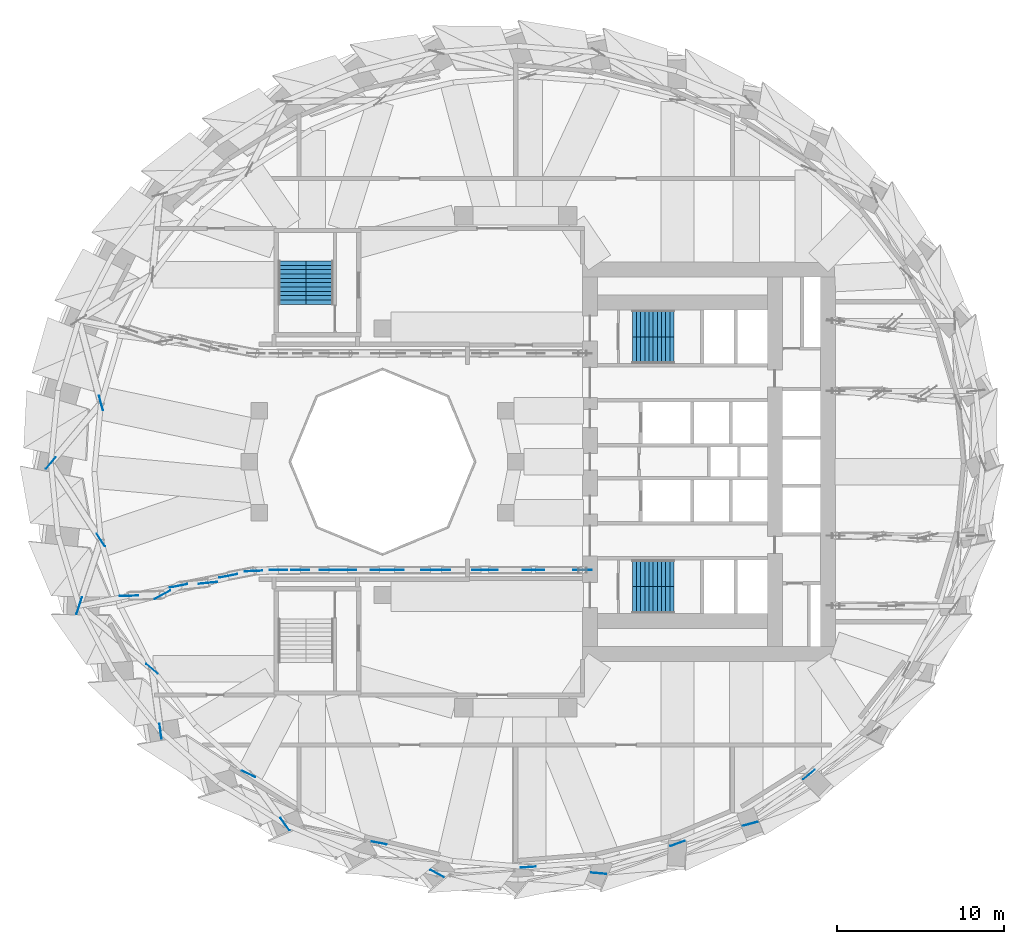
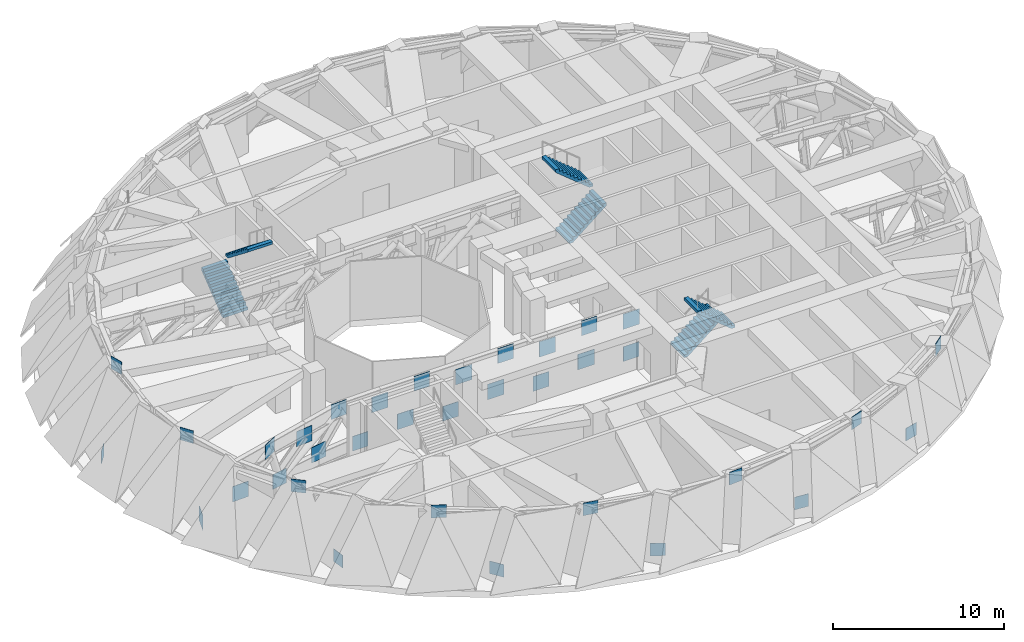
# One storey, part 10 of 15: 35 discrete accessories, 6 stair flights, 3 elements without a shape of their own.
"""IFC4 building model written with IfcOpenShell, lengths in metres."""

from ifc_helpers import new_model, si_unit, direction, frame, origin, origin_2d, place, context, subcontext, project, spatial, polyline, rectangle, outline, extrude, material, type_object, element, aggregate, save


model = new_model("IFC4")

# Units and contexts
model_context = context("Model", 3, precision=1e-05, world=origin(), true_north=direction((0.0, 1.0)))
body_context = subcontext(model_context, "Body", "Model", "MODEL_VIEW")
ifc_project = project(units=[si_unit("LENGTHUNIT", "METRE"), si_unit("AREAUNIT", "SQUARE_METRE"), si_unit("VOLUMEUNIT", "CUBIC_METRE"), si_unit("PLANEANGLEUNIT", "RADIAN"), si_unit("MASSUNIT", "GRAM", prefix="KILO")], contexts=[model_context])

# Site, building, storey
site_placement = place(None, origin())
site = spatial("IfcSite", under=ifc_project, at=site_placement, CompositionType="ELEMENT")
building_placement = place(site_placement, origin())
building = spatial("IfcBuilding", under=site, at=building_placement, Name="Taillehof Tower", CompositionType="ELEMENT")
storey_placement = place(building_placement, frame((0.0, 0.0, 84.39990234375)))
storey = spatial("IfcBuildingStorey", under=building, at=storey_placement, Name="L23", CompositionType="ELEMENT", Elevation=84.39990234375)

# Stair, stair flights
ifc_material_1 = material(Name="Concrete C40/50", Category="concrete")
stair_type = type_object("IfcStairType", Name="Exit stair half-turn", PredefinedType="HALF_TURN_STAIR", material=ifc_material_1)
stair_1_placement = place(storey_placement, origin())
stair_1 = element("IfcStair", 1, at=stair_1_placement, inside=storey, type_object=stair_type, Name="Exit stair S1", PredefinedType="HALF_TURN_STAIR")
ifc_material_2 = material(Name="Concrete C40/50", Category="concrete")
stair_flight_type_1 = type_object("IfcStairFlightType", Name="Stair flight 1600 riser 204.5 going 250", PredefinedType="STRAIGHT", material=ifc_material_2)
stair_flight_1_placement = place(storey_placement, frame((7.0, 6.699951171875, 0.0), z_axis=(0.0, 0.0, 1.0), x_axis=(1.0, 0.0, 0.0)))
stair_flight_1 = element("IfcStairFlight", 2, at=stair_flight_1_placement, type_object=stair_flight_type_1, Name="S1 flight 1", NumberOfRisers=11, NumberOfTreads=10, PredefinedType="STRAIGHT", RiserHeight=0.204545455, TreadLength=0.25, context=body_context, shape_type="SweptSolid", body=[
    extrude(outline(polyline([(0.0, 0.0), (0.0, 0.006103515625), (0.0, 0.011962890625), (0.0, 0.01806640625), (0.0, 0.024169921875), (0.0, 0.030029296875), (0.0, 0.0361328125), (0.0, 0.0419921875), (0.0, 0.048095703125), (0.0, 0.05419921875), (0.0, 0.06005859375), (0.0, 0.066162109375), (0.0, 0.072265625), (0.0, 0.078125), (0.0, 0.084228515625), (0.0, 0.09033203125), (0.0, 0.09619140625), (0.0, 0.102294921875), (0.0, 0.1083984375), (0.0, 0.1142578125), (0.0, 0.120361328125), (0.0, 0.126220703125), (0.0, 0.13232421875), (0.0, 0.138427734375), (0.0, 0.144287109375), (0.0, 0.150390625), (0.0, 0.156494140625), (0.0, 0.162353515625), (0.0, 0.16845703125), (0.0, 0.174560546875), (0.0, 0.180419921875), (0.0, 0.1865234375), (0.0, 0.192626953125), (0.0, 0.198486328125), (0.0, 0.20458984375), (0.25, 0.20458984375), (0.25, 0.4091796875), (0.5, 0.4091796875), (0.5, 0.613525390625), (0.75, 0.613525390625), (0.75, 0.818115234375), (1.0, 0.818115234375), (1.0, 1.022705078125), (1.25, 1.022705078125), (1.25, 1.227294921875), (1.5, 1.227294921875), (1.5, 1.431884765625), (1.75, 1.431884765625), (1.75, 1.636474609375), (2.0, 1.636474609375), (2.0, 1.8408203125), (2.25, 1.8408203125), (2.25, 2.04541015625), (2.5, 2.04541015625), (2.5, 2.039794921875), (2.5, 2.0341796875), (2.5, 2.0283203125), (2.5, 2.022705078125), (2.5, 2.01708984375), (2.5, 2.01123046875), (2.5, 2.005615234375), (2.5, 2.0), (2.5, 1.994140625), (2.5, 1.988525390625), (2.5, 1.98291015625), (2.5, 1.97705078125), (2.5, 1.971435546875), (2.5, 1.9658203125), (2.5, 1.9599609375), (2.5, 1.954345703125), (2.5, 1.94873046875), (2.5, 1.94287109375), (2.5, 1.937255859375), (2.5, 1.931640625), (2.5, 1.92578125), (2.5, 1.920166015625), (2.5, 1.91455078125), (2.5, 1.90869140625), (2.5, 1.903076171875), (2.5, 1.8974609375), (2.5, 1.8916015625), (2.5, 1.885986328125), (2.5, 1.88037109375), (2.5, 1.87451171875), (2.5, 1.868896484375), (2.5, 1.86328125), (2.5, 1.857421875), (2.5, 1.851806640625), (0.23681640625, 0.0), (0.0, 0.0)])), frame((0.0, 0.800048828125, 0.0), z_axis=(0.0, -1.0, 0.0), x_axis=(1.0, 0.0, 0.0)), (0.0, 0.0, 1.0), 1.6),
])
stair_flight_2_placement = place(storey_placement, frame((9.5, 8.300048828125, 2.25), z_axis=(0.0, 0.0, 1.0), x_axis=(-1.0, 0.0, 0.0)))
stair_flight_2 = element("IfcStairFlight", 3, at=stair_flight_2_placement, type_object=stair_flight_type_1, Name="S1 flight 2", NumberOfRisers=11, NumberOfTreads=10, PredefinedType="STRAIGHT", RiserHeight=0.204545455, TreadLength=0.25, context=body_context, shape_type="SweptSolid", body=[
    extrude(outline(polyline([(0.0, 0.0), (0.0, 0.006103515625), (0.0, 0.011962890625), (0.0, 0.01806640625), (0.0, 0.024169921875), (0.0, 0.030029296875), (0.0, 0.0361328125), (0.0, 0.0419921875), (0.0, 0.048095703125), (0.0, 0.05419921875), (0.0, 0.06005859375), (0.0, 0.066162109375), (0.0, 0.072265625), (0.0, 0.078125), (0.0, 0.084228515625), (0.0, 0.09033203125), (0.0, 0.09619140625), (0.0, 0.102294921875), (0.0, 0.1083984375), (0.0, 0.1142578125), (0.0, 0.120361328125), (0.0, 0.126220703125), (0.0, 0.13232421875), (0.0, 0.138427734375), (0.0, 0.144287109375), (0.0, 0.150390625), (0.0, 0.156494140625), (0.0, 0.162353515625), (0.0, 0.16845703125), (0.0, 0.174560546875), (0.0, 0.180419921875), (0.0, 0.1865234375), (0.0, 0.192626953125), (0.0, 0.198486328125), (0.0, 0.20458984375), (0.25, 0.20458984375), (0.25, 0.4091796875), (0.5, 0.4091796875), (0.5, 0.613525390625), (0.75, 0.613525390625), (0.75, 0.818115234375), (1.0, 0.818115234375), (1.0, 1.022705078125), (1.25, 1.022705078125), (1.25, 1.227294921875), (1.5, 1.227294921875), (1.5, 1.431884765625), (1.75, 1.431884765625), (1.75, 1.636474609375), (2.0, 1.636474609375), (2.0, 1.8408203125), (2.25, 1.8408203125), (2.25, 2.04541015625), (2.5, 2.04541015625), (2.5, 2.039794921875), (2.5, 2.0341796875), (2.5, 2.0283203125), (2.5, 2.022705078125), (2.5, 2.01708984375), (2.5, 2.01123046875), (2.5, 2.005615234375), (2.5, 2.0), (2.5, 1.994140625), (2.5, 1.988525390625), (2.5, 1.98291015625), (2.5, 1.97705078125), (2.5, 1.971435546875), (2.5, 1.9658203125), (2.5, 1.9599609375), (2.5, 1.954345703125), (2.5, 1.94873046875), (2.5, 1.94287109375), (2.5, 1.937255859375), (2.5, 1.931640625), (2.5, 1.92578125), (2.5, 1.920166015625), (2.5, 1.91455078125), (2.5, 1.90869140625), (2.5, 1.903076171875), (2.5, 1.8974609375), (2.5, 1.8916015625), (2.5, 1.885986328125), (2.5, 1.88037109375), (2.5, 1.87451171875), (2.5, 1.868896484375), (2.5, 1.86328125), (2.5, 1.857421875), (2.5, 1.851806640625), (0.23681640625, 0.0), (0.0, 0.0)])), frame((0.0, 0.800048828125, 0.0), z_axis=(0.0, -1.0, 0.0), x_axis=(1.0, 0.0, 0.0)), (0.0, 0.0, 1.0), 1.6),
])
aggregate(stair_1, [stair_flight_1, stair_flight_2])

stair_2_placement = place(storey_placement, origin())
stair_2 = element("IfcStair", 4, at=stair_2_placement, inside=storey, type_object=stair_type, Name="Exit stair S2", PredefinedType="HALF_TURN_STAIR")
stair_flight_3_placement = place(storey_placement, frame((7.0, -6.699951171875, 0.0), z_axis=(0.0, 0.0, 1.0), x_axis=(1.0, 0.0, 0.0)))
stair_flight_3 = element("IfcStairFlight", 5, at=stair_flight_3_placement, type_object=stair_flight_type_1, Name="S2 flight 1", NumberOfRisers=11, NumberOfTreads=10, PredefinedType="STRAIGHT", RiserHeight=0.204545455, TreadLength=0.25, context=body_context, shape_type="SweptSolid", body=[
    extrude(outline(polyline([(0.0, 0.0), (0.0, 0.006103515625), (0.0, 0.011962890625), (0.0, 0.01806640625), (0.0, 0.024169921875), (0.0, 0.030029296875), (0.0, 0.0361328125), (0.0, 0.0419921875), (0.0, 0.048095703125), (0.0, 0.05419921875), (0.0, 0.06005859375), (0.0, 0.066162109375), (0.0, 0.072265625), (0.0, 0.078125), (0.0, 0.084228515625), (0.0, 0.09033203125), (0.0, 0.09619140625), (0.0, 0.102294921875), (0.0, 0.1083984375), (0.0, 0.1142578125), (0.0, 0.120361328125), (0.0, 0.126220703125), (0.0, 0.13232421875), (0.0, 0.138427734375), (0.0, 0.144287109375), (0.0, 0.150390625), (0.0, 0.156494140625), (0.0, 0.162353515625), (0.0, 0.16845703125), (0.0, 0.174560546875), (0.0, 0.180419921875), (0.0, 0.1865234375), (0.0, 0.192626953125), (0.0, 0.198486328125), (0.0, 0.20458984375), (0.25, 0.20458984375), (0.25, 0.4091796875), (0.5, 0.4091796875), (0.5, 0.613525390625), (0.75, 0.613525390625), (0.75, 0.818115234375), (1.0, 0.818115234375), (1.0, 1.022705078125), (1.25, 1.022705078125), (1.25, 1.227294921875), (1.5, 1.227294921875), (1.5, 1.431884765625), (1.75, 1.431884765625), (1.75, 1.636474609375), (2.0, 1.636474609375), (2.0, 1.8408203125), (2.25, 1.8408203125), (2.25, 2.04541015625), (2.5, 2.04541015625), (2.5, 2.039794921875), (2.5, 2.0341796875), (2.5, 2.0283203125), (2.5, 2.022705078125), (2.5, 2.01708984375), (2.5, 2.01123046875), (2.5, 2.005615234375), (2.5, 2.0), (2.5, 1.994140625), (2.5, 1.988525390625), (2.5, 1.98291015625), (2.5, 1.97705078125), (2.5, 1.971435546875), (2.5, 1.9658203125), (2.5, 1.9599609375), (2.5, 1.954345703125), (2.5, 1.94873046875), (2.5, 1.94287109375), (2.5, 1.937255859375), (2.5, 1.931640625), (2.5, 1.92578125), (2.5, 1.920166015625), (2.5, 1.91455078125), (2.5, 1.90869140625), (2.5, 1.903076171875), (2.5, 1.8974609375), (2.5, 1.8916015625), (2.5, 1.885986328125), (2.5, 1.88037109375), (2.5, 1.87451171875), (2.5, 1.868896484375), (2.5, 1.86328125), (2.5, 1.857421875), (2.5, 1.851806640625), (0.23681640625, 0.0), (0.0, 0.0)])), frame((0.0, 0.800048828125, 0.0), z_axis=(0.0, -1.0, 0.0), x_axis=(1.0, 0.0, 0.0)), (0.0, 0.0, 1.0), 1.6),
])
stair_flight_4_placement = place(storey_placement, frame((9.5, -8.300048828125, 2.25), z_axis=(0.0, 0.0, 1.0), x_axis=(-1.0, 0.0, 0.0)))
stair_flight_4 = element("IfcStairFlight", 6, at=stair_flight_4_placement, type_object=stair_flight_type_1, Name="S2 flight 2", NumberOfRisers=11, NumberOfTreads=10, PredefinedType="STRAIGHT", RiserHeight=0.204545455, TreadLength=0.25, context=body_context, shape_type="SweptSolid", body=[
    extrude(outline(polyline([(0.0, 0.0), (0.0, 0.006103515625), (0.0, 0.011962890625), (0.0, 0.01806640625), (0.0, 0.024169921875), (0.0, 0.030029296875), (0.0, 0.0361328125), (0.0, 0.0419921875), (0.0, 0.048095703125), (0.0, 0.05419921875), (0.0, 0.06005859375), (0.0, 0.066162109375), (0.0, 0.072265625), (0.0, 0.078125), (0.0, 0.084228515625), (0.0, 0.09033203125), (0.0, 0.09619140625), (0.0, 0.102294921875), (0.0, 0.1083984375), (0.0, 0.1142578125), (0.0, 0.120361328125), (0.0, 0.126220703125), (0.0, 0.13232421875), (0.0, 0.138427734375), (0.0, 0.144287109375), (0.0, 0.150390625), (0.0, 0.156494140625), (0.0, 0.162353515625), (0.0, 0.16845703125), (0.0, 0.174560546875), (0.0, 0.180419921875), (0.0, 0.1865234375), (0.0, 0.192626953125), (0.0, 0.198486328125), (0.0, 0.20458984375), (0.25, 0.20458984375), (0.25, 0.4091796875), (0.5, 0.4091796875), (0.5, 0.613525390625), (0.75, 0.613525390625), (0.75, 0.818115234375), (1.0, 0.818115234375), (1.0, 1.022705078125), (1.25, 1.022705078125), (1.25, 1.227294921875), (1.5, 1.227294921875), (1.5, 1.431884765625), (1.75, 1.431884765625), (1.75, 1.636474609375), (2.0, 1.636474609375), (2.0, 1.8408203125), (2.25, 1.8408203125), (2.25, 2.04541015625), (2.5, 2.04541015625), (2.5, 2.039794921875), (2.5, 2.0341796875), (2.5, 2.0283203125), (2.5, 2.022705078125), (2.5, 2.01708984375), (2.5, 2.01123046875), (2.5, 2.005615234375), (2.5, 2.0), (2.5, 1.994140625), (2.5, 1.988525390625), (2.5, 1.98291015625), (2.5, 1.97705078125), (2.5, 1.971435546875), (2.5, 1.9658203125), (2.5, 1.9599609375), (2.5, 1.954345703125), (2.5, 1.94873046875), (2.5, 1.94287109375), (2.5, 1.937255859375), (2.5, 1.931640625), (2.5, 1.92578125), (2.5, 1.920166015625), (2.5, 1.91455078125), (2.5, 1.90869140625), (2.5, 1.903076171875), (2.5, 1.8974609375), (2.5, 1.8916015625), (2.5, 1.885986328125), (2.5, 1.88037109375), (2.5, 1.87451171875), (2.5, 1.868896484375), (2.5, 1.86328125), (2.5, 1.857421875), (2.5, 1.851806640625), (0.23681640625, 0.0), (0.0, 0.0)])), frame((0.0, 0.800048828125, 0.0), z_axis=(0.0, -1.0, 0.0), x_axis=(1.0, 0.0, 0.0)), (0.0, 0.0, 1.0), 1.6),
])
aggregate(stair_2, [stair_flight_3, stair_flight_4])

stair_3_placement = place(storey_placement, origin())
stair_3 = element("IfcStair", 7, at=stair_3_placement, inside=storey, type_object=stair_type, Name="Exit stair S3", PredefinedType="HALF_TURN_STAIR")
ifc_material_3 = material(Name="Concrete C40/50", Category="concrete")
stair_flight_type_2 = type_object("IfcStairFlightType", Name="Stair flight 1650 riser 204.5 going 260", PredefinedType="STRAIGHT", material=ifc_material_3)
stair_flight_5_placement = place(storey_placement, frame((-13.425048828125, 9.449951171875, 0.0), z_axis=(0.0, 0.0, 1.0), x_axis=(0.0, 1.0, 0.0)))
stair_flight_5 = element("IfcStairFlight", 8, at=stair_flight_5_placement, type_object=stair_flight_type_2, Name="S3 flight 1", NumberOfRisers=11, NumberOfTreads=10, PredefinedType="STRAIGHT", RiserHeight=0.204545455, TreadLength=0.26, context=body_context, shape_type="SweptSolid", body=[
    extrude(outline(polyline([(0.0, 0.0), (0.0, 0.006103515625), (0.0, 0.011962890625), (0.0, 0.01806640625), (0.0, 0.024169921875), (0.0, 0.030029296875), (0.0, 0.0361328125), (0.0, 0.0419921875), (0.0, 0.048095703125), (0.0, 0.05419921875), (0.0, 0.06005859375), (0.0, 0.066162109375), (0.0, 0.072265625), (0.0, 0.078125), (0.0, 0.084228515625), (0.0, 0.09033203125), (0.0, 0.09619140625), (0.0, 0.102294921875), (0.0, 0.1083984375), (0.0, 0.1142578125), (0.0, 0.120361328125), (0.0, 0.126220703125), (0.0, 0.13232421875), (0.0, 0.138427734375), (0.0, 0.144287109375), (0.0, 0.150390625), (0.0, 0.156494140625), (0.0, 0.162353515625), (0.0, 0.16845703125), (0.0, 0.174560546875), (0.0, 0.180419921875), (0.0, 0.1865234375), (0.0, 0.192626953125), (0.0, 0.198486328125), (0.0, 0.20458984375), (0.260009765625, 0.20458984375), (0.260009765625, 0.4091796875), (0.52001953125, 0.4091796875), (0.52001953125, 0.613525390625), (0.780029296875, 0.613525390625), (0.780029296875, 0.818115234375), (1.0400390625, 0.818115234375), (1.0400390625, 1.022705078125), (1.300048828125, 1.022705078125), (1.300048828125, 1.227294921875), (1.56005859375, 1.227294921875), (1.56005859375, 1.431884765625), (1.820068359375, 1.431884765625), (1.820068359375, 1.636474609375), (2.080078125, 1.636474609375), (2.080078125, 1.8408203125), (2.340087890625, 1.8408203125), (2.340087890625, 2.04541015625), (2.60009765625, 2.04541015625), (2.60009765625, 2.039794921875), (2.60009765625, 2.0341796875), (2.60009765625, 2.028564453125), (2.60009765625, 2.02294921875), (2.60009765625, 2.017333984375), (2.60009765625, 2.01171875), (2.60009765625, 2.006103515625), (2.60009765625, 2.00048828125), (2.60009765625, 1.994873046875), (2.60009765625, 1.9892578125), (2.60009765625, 1.983642578125), (2.60009765625, 1.97802734375), (2.60009765625, 1.972412109375), (2.60009765625, 1.966796875), (2.60009765625, 1.96142578125), (2.60009765625, 1.955810546875), (2.60009765625, 1.9501953125), (2.60009765625, 1.944580078125), (2.60009765625, 1.93896484375), (2.60009765625, 1.933349609375), (2.60009765625, 1.927734375), (2.60009765625, 1.922119140625), (2.60009765625, 1.91650390625), (2.60009765625, 1.910888671875), (2.60009765625, 1.9052734375), (2.60009765625, 1.899658203125), (2.60009765625, 1.89404296875), (2.60009765625, 1.888427734375), (2.60009765625, 1.8828125), (2.60009765625, 1.877197265625), (2.60009765625, 1.87158203125), (2.60009765625, 1.865966796875), (2.60009765625, 1.8603515625), (2.60009765625, 1.854736328125), (0.242431640625, 0.0), (0.0, 0.0)])), frame((0.0, 0.824951171875, 0.0), z_axis=(0.0, -1.0, 0.0), x_axis=(1.0, 0.0, 0.0)), (0.0, 0.0, 1.0), 1.65),
])
stair_flight_6_placement = place(storey_placement, frame((-11.77490234375, 12.050048828125, 2.25), z_axis=(0.0, 0.0, 1.0), x_axis=(0.0, -1.0, 0.0)))
stair_flight_6 = element("IfcStairFlight", 9, at=stair_flight_6_placement, type_object=stair_flight_type_2, Name="S3 flight 2", NumberOfRisers=11, NumberOfTreads=10, PredefinedType="STRAIGHT", RiserHeight=0.204545455, TreadLength=0.26, context=body_context, shape_type="SweptSolid", body=[
    extrude(outline(polyline([(0.0, 0.0), (0.0, 0.006103515625), (0.0, 0.011962890625), (0.0, 0.01806640625), (0.0, 0.024169921875), (0.0, 0.030029296875), (0.0, 0.0361328125), (0.0, 0.0419921875), (0.0, 0.048095703125), (0.0, 0.05419921875), (0.0, 0.06005859375), (0.0, 0.066162109375), (0.0, 0.072265625), (0.0, 0.078125), (0.0, 0.084228515625), (0.0, 0.09033203125), (0.0, 0.09619140625), (0.0, 0.102294921875), (0.0, 0.1083984375), (0.0, 0.1142578125), (0.0, 0.120361328125), (0.0, 0.126220703125), (0.0, 0.13232421875), (0.0, 0.138427734375), (0.0, 0.144287109375), (0.0, 0.150390625), (0.0, 0.156494140625), (0.0, 0.162353515625), (0.0, 0.16845703125), (0.0, 0.174560546875), (0.0, 0.180419921875), (0.0, 0.1865234375), (0.0, 0.192626953125), (0.0, 0.198486328125), (0.0, 0.20458984375), (0.260009765625, 0.20458984375), (0.260009765625, 0.4091796875), (0.52001953125, 0.4091796875), (0.52001953125, 0.613525390625), (0.780029296875, 0.613525390625), (0.780029296875, 0.818115234375), (1.0400390625, 0.818115234375), (1.0400390625, 1.022705078125), (1.300048828125, 1.022705078125), (1.300048828125, 1.227294921875), (1.56005859375, 1.227294921875), (1.56005859375, 1.431884765625), (1.820068359375, 1.431884765625), (1.820068359375, 1.636474609375), (2.080078125, 1.636474609375), (2.080078125, 1.8408203125), (2.340087890625, 1.8408203125), (2.340087890625, 2.04541015625), (2.60009765625, 2.04541015625), (2.60009765625, 2.039794921875), (2.60009765625, 2.0341796875), (2.60009765625, 2.028564453125), (2.60009765625, 2.02294921875), (2.60009765625, 2.017333984375), (2.60009765625, 2.01171875), (2.60009765625, 2.006103515625), (2.60009765625, 2.00048828125), (2.60009765625, 1.994873046875), (2.60009765625, 1.9892578125), (2.60009765625, 1.983642578125), (2.60009765625, 1.97802734375), (2.60009765625, 1.972412109375), (2.60009765625, 1.966796875), (2.60009765625, 1.96142578125), (2.60009765625, 1.955810546875), (2.60009765625, 1.9501953125), (2.60009765625, 1.944580078125), (2.60009765625, 1.93896484375), (2.60009765625, 1.933349609375), (2.60009765625, 1.927734375), (2.60009765625, 1.922119140625), (2.60009765625, 1.91650390625), (2.60009765625, 1.910888671875), (2.60009765625, 1.9052734375), (2.60009765625, 1.899658203125), (2.60009765625, 1.89404296875), (2.60009765625, 1.888427734375), (2.60009765625, 1.8828125), (2.60009765625, 1.877197265625), (2.60009765625, 1.87158203125), (2.60009765625, 1.865966796875), (2.60009765625, 1.8603515625), (2.60009765625, 1.854736328125), (0.242431640625, 0.0), (0.0, 0.0)])), frame((0.0, 0.824951171875, 0.0), z_axis=(0.0, -1.0, 0.0), x_axis=(1.0, 0.0, 0.0)), (0.0, 0.0, 1.0), 1.65),
])
aggregate(stair_3, [stair_flight_5, stair_flight_6])

# Discrete accessories
ifc_material_4 = material(Name="Steel S460M", Category="steel")
discrete_accessory_type = type_object("IfcDiscreteAccessoryType", Name="Steel gusset plate", PredefinedType="BRACKET", material=ifc_material_4)
discrete_accessory_1_placement = place(storey_placement, frame((-27.89990234375, -0.070068359375, 0.4501953125), z_axis=(0.0, 0.0, 1.0), x_axis=(-0.642600410531, -0.766201482892, 0.0)))
element("IfcDiscreteAccessory", 10, at=discrete_accessory_1_placement, inside=storey, type_object=discrete_accessory_type, Name="Gusset plate 073", PredefinedType="BRACKET", context=body_context, shape_type="SweptSolid", body=[
    extrude(rectangle(XDim=0.89990234375, YDim=0.02490234375, at=origin_2d()), origin(), (0.0, 0.0, 1.0), 0.89990234375),
])
discrete_accessory_2_placement = place(storey_placement, frame((-26.199951171875, -8.639892578125, 0.375), z_axis=(0.0, 0.0, 1.0), x_axis=(-0.312707947572, -0.949849324643, 0.0)))
element("IfcDiscreteAccessory", 11, at=discrete_accessory_2_placement, inside=storey, type_object=discrete_accessory_type, Name="Gusset plate 075", PredefinedType="BRACKET", context=body_context, shape_type="SweptSolid", body=[
    extrude(rectangle(XDim=1.050048828125, YDim=0.02490234375, at=origin_2d()), origin(), (0.0, 0.0, 1.0), 1.050048828125),
])
for number, where, z_axis, x_axis, name in (
    (12, (-24.89990234375, -4.699951171875, 3.51025390625), (0.0, 0.0, 1.0), (0.543514381254, -0.839399855474, 0.0), "Gusset plate 076"),
    (13, (-24.889892578125, 3.52001953125, 3.51025390625), (0.0, 0.0, 1.0), (0.25644120316, -0.966559832252, 0.0), "Gusset plate 077"),
    (14, (-21.830078125, -12.429931640625, 3.51025390625), (0.0, 0.0, 1.0), (0.755839756142, -0.654756644132, 0.0), "Gusset plate 078"),
    (15, (-21.320068359375, -16.169921875, 0.4501953125), (0.0, 0.0, 1.0), (0.134899352955, -0.990859306144, 0.0), "Gusset plate 081"),
):
    element("IfcDiscreteAccessory", number, at=place(storey_placement, frame(where, z_axis=z_axis, x_axis=x_axis)), inside=storey, type_object=discrete_accessory_type, Name=name, PredefinedType="BRACKET", context=body_context, shape_type="SweptSolid", body=[
        extrude(rectangle(XDim=0.89990234375, YDim=0.02490234375, at=origin_2d()), origin(), (0.0, 0.0, 1.0), 0.89990234375),
    ])
for number, where, z_axis, x_axis, name in (
    (16, (-21.199951171875, -7.97998046875, 3.1953125), (0.0, 0.0, 1.0), (-0.876986028681, -0.480515874347, 0.0), "Gusset plate 082"),
    (17, (-20.239990234375, -7.449951171875, 0.375), (0.0, 0.0, 1.0), (-0.981125633266, -0.193371382962, 0.0), "Gusset plate 084"),
):
    element("IfcDiscreteAccessory", number, at=place(storey_placement, frame(where, z_axis=z_axis, x_axis=x_axis)), inside=storey, type_object=discrete_accessory_type, Name=name, PredefinedType="BRACKET", context=body_context, shape_type="SweptSolid", body=[
        extrude(rectangle(XDim=1.050048828125, YDim=0.02490234375, at=origin_2d()), origin(), (0.0, 0.0, 1.0), 1.050048828125),
    ])
discrete_accessory_3_placement = place(storey_placement, frame((-16.030029296875, -18.739990234375, 3.51025390625), z_axis=(0.0, 0.0, 1.0), x_axis=(0.899544818389, -0.436828478592, 0.0)))
element("IfcDiscreteAccessory", 18, at=discrete_accessory_3_placement, inside=storey, type_object=discrete_accessory_type, Name="Gusset plate 086", PredefinedType="BRACKET", context=body_context, shape_type="SweptSolid", body=[
    extrude(rectangle(XDim=0.89990234375, YDim=0.02490234375, at=origin_2d()), origin(), (0.0, 0.0, 1.0), 0.89990234375),
])
for number, where, z_axis, x_axis, name in (
    (19, (-15.739990234375, -6.56005859375, 3.1953125), (0.0, 0.0, 1.0), (-0.99913970433, -0.041471089101, 0.0), "Gusset plate 088"),
    (20, (-14.25, -6.5, 0.375), (0.0, 0.0, 1.0), (-1.0, 0.0, 0.0), "Gusset plate 090"),
):
    element("IfcDiscreteAccessory", number, at=place(storey_placement, frame(where, z_axis=z_axis, x_axis=x_axis)), inside=storey, type_object=discrete_accessory_type, Name=name, PredefinedType="BRACKET", context=body_context, shape_type="SweptSolid", body=[
        extrude(rectangle(XDim=1.050048828125, YDim=0.02490234375, at=origin_2d()), origin(), (0.0, 0.0, 1.0), 1.050048828125),
    ])
discrete_accessory_4_placement = place(storey_placement, frame((-13.85009765625, -21.75, 0.4501953125), z_axis=(0.0, 0.0, 1.0), x_axis=(0.586069764917, -0.810260594284, 0.0)))
element("IfcDiscreteAccessory", 21, at=discrete_accessory_4_placement, inside=storey, type_object=discrete_accessory_type, Name="Gusset plate 093", PredefinedType="BRACKET", context=body_context, shape_type="SweptSolid", body=[
    extrude(rectangle(XDim=0.89990234375, YDim=0.02490234375, at=origin_2d()), origin(), (0.0, 0.0, 1.0), 0.89990234375),
])
discrete_accessory_5_placement = place(storey_placement, frame((-10.10009765625, -6.5, 3.1953125), z_axis=(0.0, 0.0, 1.0), x_axis=(-1.0, 0.0, 0.0)))
element("IfcDiscreteAccessory", 22, at=discrete_accessory_5_placement, inside=storey, type_object=discrete_accessory_type, Name="Gusset plate 094", PredefinedType="BRACKET", context=body_context, shape_type="SweptSolid", body=[
    extrude(rectangle(XDim=1.050048828125, YDim=0.02490234375, at=origin_2d()), origin(), (0.0, 0.0, 1.0), 1.050048828125),
])
discrete_accessory_6_placement = place(storey_placement, frame((-8.199951171875, -22.8798828125, 3.51025390625), z_axis=(0.0, 0.0, 1.0), x_axis=(0.980865554457, -0.194686322273, 0.0)))
element("IfcDiscreteAccessory", 23, at=discrete_accessory_6_placement, inside=storey, type_object=discrete_accessory_type, Name="Gusset plate 096", PredefinedType="BRACKET", context=body_context, shape_type="SweptSolid", body=[
    extrude(rectangle(XDim=0.89990234375, YDim=0.02490234375, at=origin_2d()), origin(), (0.0, 0.0, 1.0), 0.89990234375),
])
discrete_accessory_7_placement = place(storey_placement, frame((-8.169921875, -6.5, 0.375), z_axis=(0.0, 0.0, 1.0), x_axis=(-1.0, 0.0, 0.0)))
element("IfcDiscreteAccessory", 24, at=discrete_accessory_7_placement, inside=storey, type_object=discrete_accessory_type, Name="Gusset plate 097", PredefinedType="BRACKET", context=body_context, shape_type="SweptSolid", body=[
    extrude(rectangle(XDim=1.050048828125, YDim=0.02490234375, at=origin_2d()), origin(), (0.0, 0.0, 1.0), 1.050048828125),
])
discrete_accessory_8_placement = place(storey_placement, frame((-4.719970703125, -24.7099609375, 0.4501953125), z_axis=(0.0, 0.0, 1.0), x_axis=(0.884733959264, -0.466096364849, 0.0)))
element("IfcDiscreteAccessory", 25, at=discrete_accessory_8_placement, inside=storey, type_object=discrete_accessory_type, Name="Gusset plate 101", PredefinedType="BRACKET", context=body_context, shape_type="SweptSolid", body=[
    extrude(rectangle(XDim=0.89990234375, YDim=0.02490234375, at=origin_2d()), origin(), (0.0, 0.0, 1.0), 0.89990234375),
])
for number, where, z_axis, x_axis, name in (
    (26, (-4.4599609375, -6.5, 3.1953125), (0.0, 0.0, 1.0), (-1.0, 0.0, 0.0), "Gusset plate 102"),
    (27, (-2.080078125, -6.5, 0.375), (0.0, 0.0, 1.0), (-1.0, 0.0, 0.0), "Gusset plate 104"),
):
    element("IfcDiscreteAccessory", number, at=place(storey_placement, frame(where, z_axis=z_axis, x_axis=x_axis)), inside=storey, type_object=discrete_accessory_type, Name=name, PredefinedType="BRACKET", context=body_context, shape_type="SweptSolid", body=[
        extrude(rectangle(XDim=1.050048828125, YDim=0.02490234375, at=origin_2d()), origin(), (0.0, 0.0, 1.0), 1.050048828125),
    ])
discrete_accessory_9_placement = place(storey_placement, frame((0.739990234375, -24.330078125, 3.51025390625), z_axis=(0.0, 0.0, 1.0), x_axis=(0.997540740961, 0.070089015706, 0.0)))
element("IfcDiscreteAccessory", 28, at=discrete_accessory_9_placement, inside=storey, type_object=discrete_accessory_type, Name="Gusset plate 106", PredefinedType="BRACKET", context=body_context, shape_type="SweptSolid", body=[
    extrude(rectangle(XDim=0.89990234375, YDim=0.02490234375, at=origin_2d()), origin(), (0.0, 0.0, 1.0), 0.89990234375),
])
for number, where, z_axis, x_axis, name in (
    (29, (1.179931640625, -6.5, 3.1953125), (0.0, 0.0, 1.0), (-1.0, 0.0, 0.0), "Gusset plate 108"),
    (30, (4.0, -6.5, 0.375), (0.0, 0.0, 1.0), (-1.0, 0.0, 0.0), "Gusset plate 110"),
):
    element("IfcDiscreteAccessory", number, at=place(storey_placement, frame(where, z_axis=z_axis, x_axis=x_axis)), inside=storey, type_object=discrete_accessory_type, Name=name, PredefinedType="BRACKET", context=body_context, shape_type="SweptSolid", body=[
        extrude(rectangle(XDim=1.050048828125, YDim=0.02490234375, at=origin_2d()), origin(), (0.0, 0.0, 1.0), 1.050048828125),
    ])
for number, where, z_axis, x_axis, name in (
    (31, (4.97998046875, -24.699951171875, 0.4501953125), (0.0, 0.0, 1.0), (0.996219300977, -0.086874071853, 0.0), "Gusset plate 113"),
    (32, (9.7099609375, -22.909912109375, 3.51025390625), (0.0, 0.0, 1.0), (0.935125934048, 0.354315519659, 0.0), "Gusset plate 114"),
    (33, (14.070068359375, -21.72998046875, 0.4501953125), (0.0, 0.0, 1.0), (0.965360238633, 0.260920696126, 0.0), "Gusset plate 116"),
    (34, (17.60009765625, -18.77001953125, 3.51025390625), (0.0, 0.0, 1.0), (0.767181944664, 0.641429547013, 0.0), "Gusset plate 119"),
):
    element("IfcDiscreteAccessory", number, at=place(storey_placement, frame(where, z_axis=z_axis, x_axis=x_axis)), inside=storey, type_object=discrete_accessory_type, Name=name, PredefinedType="BRACKET", context=body_context, shape_type="SweptSolid", body=[
        extrude(rectangle(XDim=0.89990234375, YDim=0.02490234375, at=origin_2d()), origin(), (0.0, 0.0, 1.0), 0.89990234375),
    ])
for number, where, z_axis, x_axis, name in (
    (35, (4.0, -6.5, 2.66015625), (0.0, 0.0, 1.0), (1.0, 0.0, 0.0), "Gusset plate 448"),
    (36, (0.9599609375, -6.5, 0.85009765625), (0.0, 0.0, 1.0), (1.0, 0.0, 0.0), "Gusset plate 449"),
    (37, (-1.639892578125, -6.5, 2.66015625), (0.0, 0.0, 1.0), (1.0, 0.0, 0.0), "Gusset plate 450"),
    (38, (-5.1201171875, -6.5, 0.85009765625), (0.0, 0.0, 1.0), (1.0, 0.0, 0.0), "Gusset plate 451"),
    (39, (-7.280029296875, -6.5, 2.66015625), (0.0, 0.0, 1.0), (1.0, 0.0, 0.0), "Gusset plate 452"),
    (40, (-11.2099609375, -6.5, 0.85009765625), (0.0, 0.0, 1.0), (1.0, 0.0, 0.0), "Gusset plate 453"),
    (41, (-12.929931640625, -6.5, 2.66015625), (0.0, 0.0, 1.0), (1.0, 0.0, 0.0), "Gusset plate 454"),
    (42, (-17.25, -6.85009765625, 0.85009765625), (0.0, 0.0, 1.0), (0.982255186235, 0.187549324482, 0.0), "Gusset plate 455"),
    (43, (-18.469970703125, -7.27001953125, 2.66015625), (0.0, 0.0, 1.0), (0.994907307132, 0.100794098122, 0.0), "Gusset plate 456"),
    (44, (-23.219970703125, -8.050048828125, 0.85009765625), (0.0, 0.0, 1.0), (0.999422445115, 0.033981998185, 0.0), "Gusset plate 457"),
):
    element("IfcDiscreteAccessory", number, at=place(storey_placement, frame(where, z_axis=z_axis, x_axis=x_axis)), inside=storey, type_object=discrete_accessory_type, Name=name, PredefinedType="BRACKET", context=body_context, shape_type="SweptSolid", body=[
        extrude(rectangle(XDim=1.10009765625, YDim=0.02490234375, at=origin_2d()), origin(), (0.0, 0.0, 1.0), 1.10009765625),
    ])

save(model, "model.ifc")
